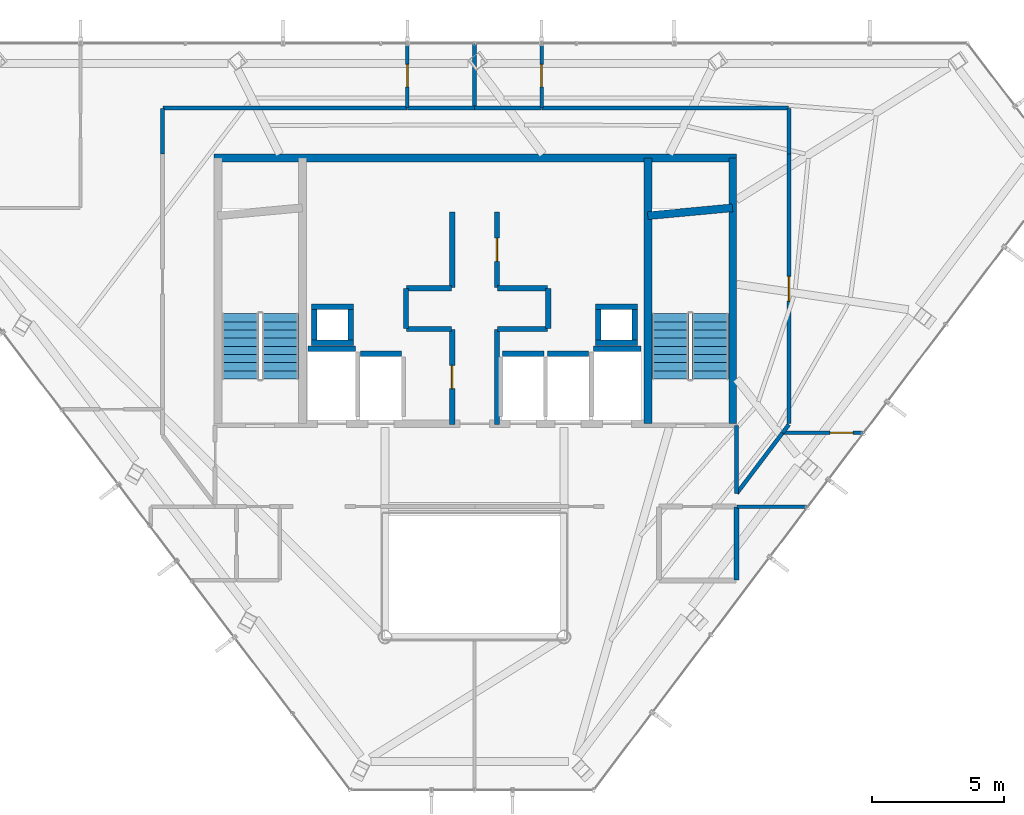
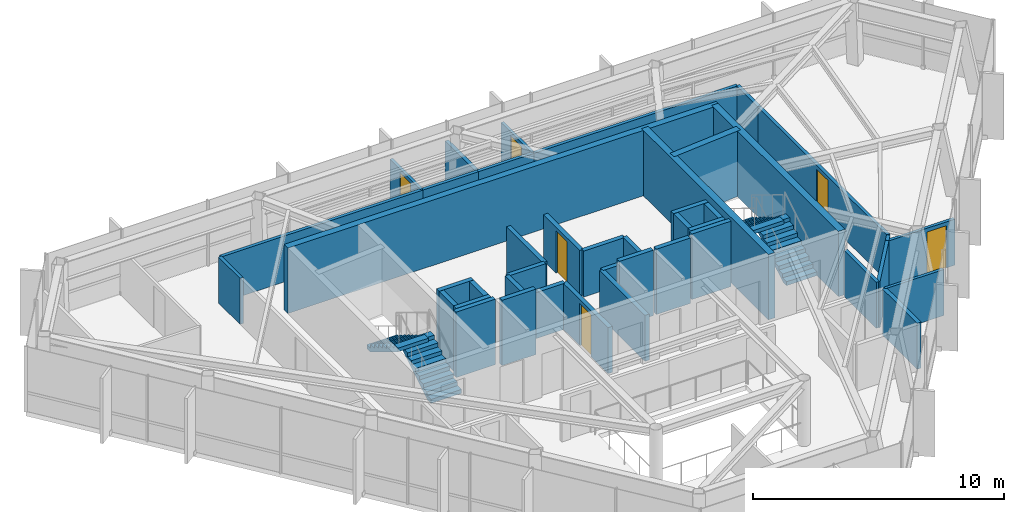
# One storey, part 23 of 25: 43 walls, 6 doors, 4 stair flights, 6 openings, 2 elements without a shape of their own.
"""IFC4 building model written with IfcOpenShell, lengths in metres."""

from ifc_helpers import new_model, si_unit, direction, frame, frame_2d, origin, place, context, subcontext, project, spatial, polyline, rectangle, outline, extrude, material, layer, layer_set, type_object, element, fill, aggregate, save


model = new_model("IFC4")

# Units and contexts
model_context = context("Model", 3, precision=1e-05, world=origin(), true_north=direction((0.0, 1.0)))
body_context = subcontext(model_context, "Body", "Model", "MODEL_VIEW")
ifc_project = project(units=[si_unit("LENGTHUNIT", "METRE"), si_unit("AREAUNIT", "SQUARE_METRE"), si_unit("VOLUMEUNIT", "CUBIC_METRE"), si_unit("PLANEANGLEUNIT", "RADIAN"), si_unit("MASSUNIT", "GRAM", prefix="KILO")], contexts=[model_context])

# Site, building, storey
site_placement = place(None, origin())
site = spatial("IfcSite", under=ifc_project, at=site_placement, CompositionType="ELEMENT")
building_placement = place(site_placement, origin())
building = spatial("IfcBuilding", under=site, at=building_placement, Name="Zarrinselat Tower", CompositionType="ELEMENT")
storey_placement = place(building_placement, frame((0.0, 0.0, 275.39990234375)))
storey = spatial("IfcBuildingStorey", under=building, at=storey_placement, Name="L70", CompositionType="ELEMENT", Elevation=275.39990234375)

# Walls
ifc_material_1 = material(Name="Fire-Rated Gypsum Board Partition", Category="gypsum")
ifc_layer_1 = layer(ifc_material_1, 0.1650390625)
ifc_layer_set_1 = layer_set([ifc_layer_1], Name="Fire-Rated Gypsum Board Partition")
wall_type_1 = type_object("IfcWallType", Name="WAL-PART-DEMISE", PredefinedType="PARTITIONING", material=ifc_layer_set_1)
wall_1_placement = place(storey_placement, frame((38.39990234375, 45.31005859375, 0.0), z_axis=(0.0, 0.0, 1.0), x_axis=(0.0, 1.0, 0.0)))
element("IfcWall", 1, at=wall_1_placement, inside=storey, type_object=wall_type_1, Name="L70 Partition Wall 49", PredefinedType="PARTITIONING", context=body_context, shape_type="SweptSolid", body=[
    extrude(rectangle(XDim=2.425048828125, YDim=0.1650390625, at=frame_2d((1.21240234375, 0.0))), origin(), (0.0, 0.0, 1.0), 2.235107421875),
])
ifc_material_2 = material(Name="Concrete C40/50", Category="concrete")
ifc_layer_2 = layer(ifc_material_2, 0.18994140625)
ifc_layer_set_2 = layer_set([ifc_layer_2], Name="Concrete C40/50")
wall_type_2 = type_object("IfcWallType", Name="WAL-PART-EI120", PredefinedType="PARTITIONING", material=ifc_layer_set_2)
wall_2_placement = place(storey_placement, frame((48.35009765625, 27.3701171875, 0.0), z_axis=(0.0, 0.0, 1.0), x_axis=(0.0, 1.0, 0.0)))
element("IfcWall", 2, at=wall_2_placement, inside=storey, type_object=wall_type_2, Name="L70 Partition Wall 21", PredefinedType="PARTITIONING", context=body_context, shape_type="SweptSolid", body=[
    extrude(rectangle(XDim=2.759765625, YDim=0.18994140625, at=frame_2d((1.3798828125, 0.0))), origin(), (0.0, 0.0, 1.0), 2.235107421875),
])
ifc_material_3 = material(Name="Fire-Rated Gypsum Board Partition", Category="gypsum")
ifc_layer_3 = layer(ifc_material_3, 0.14990234375)
ifc_layer_set_3 = layer_set([ifc_layer_3], Name="Fire-Rated Gypsum Board Partition")
wall_type_3 = type_object("IfcWallType", Name="WAL-PART-EI60", PredefinedType="PARTITIONING", material=ifc_layer_set_3)
wall_3_placement = place(storey_placement, frame((48.35009765625, 30.642578125, 0.0), z_axis=(0.0, 0.0, 1.0), x_axis=(0.0, 1.0, 0.0)))
element("IfcWall", 3, at=wall_3_placement, inside=storey, type_object=wall_type_3, Name="L70 Partition Wall 13", PredefinedType="PARTITIONING", context=body_context, shape_type="SweptSolid", body=[
    extrude(rectangle(XDim=2.58740234375, YDim=0.14990234375, at=frame_2d((1.293701171875, 0.0))), origin(), (0.0, 0.0, 1.0), 2.235107421875),
])
wall_4_placement = place(storey_placement, frame((26.550048828125, 43.550048828125, 0.0), z_axis=(0.0, 0.0, 1.0), x_axis=(0.0, 1.0, 0.0)))
element("IfcWall", 4, at=wall_4_placement, inside=storey, type_object=wall_type_3, Name="L70 Partition Wall 23", PredefinedType="PARTITIONING", context=body_context, shape_type="SweptSolid", body=[
    extrude(rectangle(XDim=1.719970703125, YDim=0.14990234375, at=frame_2d((0.85986328125, 0.0))), origin(), (0.0, 0.0, 1.0), 2.235107421875),
])
wall_5_placement = place(storey_placement, frame((26.570068359375, 45.2900390625, 0.0), z_axis=(0.0, 0.0, 1.0), x_axis=(1.0, 0.0, 0.0)))
element("IfcWall", 5, at=wall_5_placement, inside=storey, type_object=wall_type_3, Name="L70 Partition Wall 24", PredefinedType="PARTITIONING", context=body_context, shape_type="SweptSolid", body=[
    extrude(rectangle(XDim=9.27490234375, YDim=0.14990234375, at=frame_2d((4.637451171875, 0.0))), origin(), (0.0, 0.0, 1.0), 2.235107421875),
])
wall_6_placement = place(storey_placement, frame((35.85498046875, 45.2900390625, 0.0), z_axis=(0.0, 0.0, 1.0), x_axis=(1.0, 0.0, 0.0)))
element("IfcWall", 6, at=wall_6_placement, inside=storey, type_object=wall_type_3, Name="L70 Partition Wall 25", PredefinedType="PARTITIONING", context=body_context, shape_type="SweptSolid", body=[
    extrude(rectangle(XDim=2.5400390625, YDim=0.14990234375, at=frame_2d((1.27001953125, 0.0))), origin(), (0.0, 0.0, 1.0), 2.235107421875),
])
wall_7_placement = place(storey_placement, frame((40.955078125, 45.2900390625, 0.0), z_axis=(0.0, 0.0, 1.0), x_axis=(1.0, 0.0, 0.0)))
element("IfcWall", 7, at=wall_7_placement, inside=storey, type_object=wall_type_3, Name="L70 Partition Wall 28", PredefinedType="PARTITIONING", context=body_context, shape_type="SweptSolid", body=[
    extrude(rectangle(XDim=9.375, YDim=0.14990234375, at=frame_2d((4.6875, 0.0))), origin(), (0.0, 0.0, 1.0), 2.235107421875),
])
wall_8_placement = place(storey_placement, frame((50.35009765625, 43.550048828125, 0.0), z_axis=(0.0, 0.0, 1.0), x_axis=(0.0, 1.0, 0.0)))
element("IfcWall", 8, at=wall_8_placement, inside=storey, type_object=wall_type_3, Name="L70 Partition Wall 29", PredefinedType="PARTITIONING", context=body_context, shape_type="SweptSolid", body=[
    extrude(rectangle(XDim=1.719970703125, YDim=0.14990234375, at=frame_2d((0.85986328125, 0.0))), origin(), (0.0, 0.0, 1.0), 2.235107421875),
])

# Wall, opening, door
wall_9_placement = place(storey_placement, frame((50.35009765625, 33.30224609375, 0.0), z_axis=(0.0, 0.0, 1.0), x_axis=(0.0, 1.0, 0.0)))
wall_9 = element("IfcWall", 9, at=wall_9_placement, inside=storey, type_object=wall_type_3, Name="L70 Partition Wall 30", PredefinedType="PARTITIONING", context=body_context, shape_type="SweptSolid", body=[
    extrude(rectangle(XDim=10.247802734375, YDim=0.14990234375, at=frame_2d((5.1240234375, 0.0))), origin(), (0.0, 0.0, 1.0), 2.235107421875),
])
opening_1_placement = place(wall_9_placement, frame((4.65380859375, 0.0, 0.0)))
opening_1 = element("IfcOpeningElement", 10, at=opening_1_placement, cuts=wall_9, Name="Opening ID-04", PredefinedType="OPENING", context=body_context, shape_type="SweptSolid", body=[
    extrude(rectangle(XDim=0.93994140625, YDim=2.050048828125, at=frame_2d((0.469970703125, 1.02490234375))), frame((0.0, 0.0849609375, 0.0), z_axis=(0.0, -1.0, 0.0), x_axis=(1.0, 0.0, 0.0)), (0.0, 0.0, 1.0), 0.169921875),
])
ifc_material_4 = material(Name="Fire-Rated Gypsum Board Partition")
door_type_1 = type_object("IfcDoorType", Name="DR-INT-FD30-ENT", OperationType="NOTDEFINED", PredefinedType="DOOR", material=ifc_material_4)
door_1_placement = place(opening_1_placement, origin())
door_1 = element("IfcDoor", 11, at=door_1_placement, inside=storey, type_object=door_type_1, Name="L70 Interior Door P30", OperationType="SINGLE_SWING_LEFT", OverallHeight=2.050048828125, OverallWidth=0.93994140625, PredefinedType="DOOR", context=body_context, shape_type="SweptSolid", body=[
    extrude(rectangle(XDim=0.93994140625, YDim=2.050048828125, at=frame_2d((0.469970703125, 1.02490234375))), frame((0.0, 0.02490234375, 0.0), z_axis=(0.0, -1.0, 0.0), x_axis=(1.0, 0.0, 0.0)), (0.0, 0.0, 1.0), 0.050048828125),
])
fill(opening_1, door_1)

# Walls
wall_10_placement = place(storey_placement, frame((50.106689453125, 32.96044921875, 0.0), z_axis=(0.0, 0.0, 1.0), x_axis=(0.602950173728, 0.797778846549, 0.0)))
element("IfcWall", 12, at=wall_10_placement, inside=storey, type_object=wall_type_3, Name="L70 Partition Wall 31", PredefinedType="PARTITIONING", context=body_context, shape_type="SweptSolid", body=[
    extrude(rectangle(XDim=0.383544921875, YDim=0.14990234375, at=frame_2d((0.19189453125, 0.0))), origin(), (0.0, 0.0, 1.0), 2.235107421875),
])
wall_11_placement = place(storey_placement, frame((48.362060546875, 30.653564453125, 0.0), z_axis=(0.0, 0.0, 1.0), x_axis=(0.603189668488, 0.79759778324, 0.0)))
element("IfcWall", 13, at=wall_11_placement, inside=storey, type_object=wall_type_3, Name="L70 Partition Wall 32", PredefinedType="PARTITIONING", context=body_context, shape_type="SweptSolid", body=[
    extrude(rectangle(XDim=2.8857421875, YDim=0.14990234375, at=frame_2d((1.44287109375, 0.0))), origin(), (0.0, 0.0, 1.0), 2.235107421875),
])
wall_12_placement = place(storey_placement, frame((38.405029296875, 45.2900390625, 0.0), z_axis=(0.0, 0.0, 1.0), x_axis=(1.0, 0.0, 0.0)))
element("IfcWall", 14, at=wall_12_placement, inside=storey, type_object=wall_type_3, Name="L70 Partition Wall 33", PredefinedType="PARTITIONING", context=body_context, shape_type="SweptSolid", body=[
    extrude(rectangle(XDim=2.5400390625, YDim=0.14990234375, at=frame_2d((1.27001953125, 0.0))), origin(), (0.0, 0.0, 1.0), 2.235107421875),
])

# Wall, opening, door
ifc_material_5 = material(Name="Concrete C40/50", Category="concrete")
ifc_layer_4 = layer(ifc_material_5, 0.199951171875)
ifc_layer_set_4 = layer_set([ifc_layer_4], Name="Concrete C40/50")
wall_type_4 = type_object("IfcWallType", Name="WAL-PART-PLANT", PredefinedType="PARTITIONING", material=ifc_layer_set_4)
wall_13_placement = place(storey_placement, frame((37.550048828125, 33.264892578125, 0.0), z_axis=(0.0, 0.0, 1.0), x_axis=(0.0, 1.0, 0.0)))
wall_13 = element("IfcWall", 15, at=wall_13_placement, inside=storey, type_object=wall_type_4, Name="L70 Partition Wall 1", PredefinedType="PARTITIONING", context=body_context, shape_type="SweptSolid", body=[
    extrude(rectangle(XDim=3.614990234375, YDim=0.199951171875, at=frame_2d((1.8076171875, 0.0))), origin(), (0.0, 0.0, 1.0), 2.235107421875),
])
opening_2_placement = place(wall_13_placement, frame((1.367431640625, 0.0, 0.0)))
opening_2 = element("IfcOpeningElement", 16, at=opening_2_placement, cuts=wall_13, Name="Opening ID-03", PredefinedType="OPENING", context=body_context, shape_type="SweptSolid", body=[
    extrude(rectangle(XDim=0.8798828125, YDim=2.050048828125, at=frame_2d((0.43994140625, 1.02490234375))), frame((0.0, 0.10986328125, 0.0), z_axis=(0.0, -1.0, 0.0), x_axis=(1.0, 0.0, 0.0)), (0.0, 0.0, 1.0), 0.219970703125),
])
ifc_material_6 = material(Name="Steel S355J2", Category="steel")
door_type_2 = type_object("IfcDoorType", Name="DR-INT-FD60-S", OperationType="NOTDEFINED", PredefinedType="DOOR", material=ifc_material_6)
door_2_placement = place(opening_2_placement, origin())
door_2 = element("IfcDoor", 17, at=door_2_placement, inside=storey, type_object=door_type_2, Name="L70 Interior Door P1", OperationType="SINGLE_SWING_LEFT", OverallHeight=2.050048828125, OverallWidth=0.8798828125, PredefinedType="DOOR", context=body_context, shape_type="SweptSolid", body=[
    extrude(rectangle(XDim=0.8798828125, YDim=2.050048828125, at=frame_2d((0.43994140625, 1.02490234375))), frame((0.0, 0.02490234375, 0.0), z_axis=(0.0, -1.0, 0.0), x_axis=(1.0, 0.0, 0.0)), (0.0, 0.0, 1.0), 0.050048828125),
])
fill(opening_2, door_2)

# Walls
wall_14_placement = place(storey_placement, frame((35.820068359375, 36.89990234375, 0.0), z_axis=(0.0, 0.0, 1.0), x_axis=(1.0, 0.0, 0.0)))
element("IfcWall", 18, at=wall_14_placement, inside=storey, type_object=wall_type_4, Name="L70 Partition Wall 2", PredefinedType="PARTITIONING", context=body_context, shape_type="SweptSolid", body=[
    extrude(rectangle(XDim=1.7099609375, YDim=0.199951171875, at=frame_2d((0.85498046875, 0.0))), origin(), (0.0, 0.0, 1.0), 2.235107421875),
])
wall_15_placement = place(storey_placement, frame((35.800048828125, 36.919921875, 0.0), z_axis=(0.0, 0.0, 1.0), x_axis=(0.0, 1.0, 0.0)))
element("IfcWall", 19, at=wall_15_placement, inside=storey, type_object=wall_type_4, Name="L70 Partition Wall 3", PredefinedType="PARTITIONING", context=body_context, shape_type="SweptSolid", body=[
    extrude(rectangle(XDim=1.510009765625, YDim=0.199951171875, at=frame_2d((0.7548828125, 0.0))), origin(), (0.0, 0.0, 1.0), 2.235107421875),
])
wall_16_placement = place(storey_placement, frame((35.820068359375, 38.449951171875, 0.0), z_axis=(0.0, 0.0, 1.0), x_axis=(1.0, 0.0, 0.0)))
element("IfcWall", 20, at=wall_16_placement, inside=storey, type_object=wall_type_4, Name="L70 Partition Wall 4", PredefinedType="PARTITIONING", context=body_context, shape_type="SweptSolid", body=[
    extrude(rectangle(XDim=1.7099609375, YDim=0.199951171875, at=frame_2d((0.85498046875, 0.0))), origin(), (0.0, 0.0, 1.0), 2.235107421875),
])
wall_17_placement = place(storey_placement, frame((37.550048828125, 38.469970703125, 0.0), z_axis=(0.0, 0.0, 1.0), x_axis=(0.0, 1.0, 0.0)))
element("IfcWall", 21, at=wall_17_placement, inside=storey, type_object=wall_type_4, Name="L70 Partition Wall 5", PredefinedType="PARTITIONING", context=body_context, shape_type="SweptSolid", body=[
    extrude(rectangle(XDim=2.880126953125, YDim=0.199951171875, at=frame_2d((1.43994140625, 0.0))), origin(), (0.0, 0.0, 1.0), 2.235107421875),
])

# Wall, opening, door
wall_18_placement = place(storey_placement, frame((39.25, 38.469970703125, 0.0), z_axis=(0.0, 0.0, 1.0), x_axis=(0.0, 1.0, 0.0)))
wall_18 = element("IfcWall", 22, at=wall_18_placement, inside=storey, type_object=wall_type_4, Name="L70 Partition Wall 6", PredefinedType="PARTITIONING", context=body_context, shape_type="SweptSolid", body=[
    extrude(rectangle(XDim=2.880126953125, YDim=0.199951171875, at=frame_2d((1.43994140625, 0.0))), origin(), (0.0, 0.0, 1.0), 2.235107421875),
])
opening_3_placement = place(wall_18_placement, frame((1.0, 0.0, 0.0)))
opening_3 = element("IfcOpeningElement", 23, at=opening_3_placement, cuts=wall_18, Name="Opening ID-03", PredefinedType="OPENING", context=body_context, shape_type="SweptSolid", body=[
    extrude(rectangle(XDim=0.8798828125, YDim=2.050048828125, at=frame_2d((0.43994140625, 1.02490234375))), frame((0.0, 0.10986328125, 0.0), z_axis=(0.0, -1.0, 0.0), x_axis=(1.0, 0.0, 0.0)), (0.0, 0.0, 1.0), 0.219970703125),
])
door_3_placement = place(opening_3_placement, origin())
door_3 = element("IfcDoor", 24, at=door_3_placement, inside=storey, type_object=door_type_2, Name="L70 Interior Door P6", OperationType="SINGLE_SWING_RIGHT", OverallHeight=2.050048828125, OverallWidth=0.8798828125, PredefinedType="DOOR", context=body_context, shape_type="SweptSolid", body=[
    extrude(rectangle(XDim=0.8798828125, YDim=2.050048828125, at=frame_2d((0.43994140625, 1.02490234375))), frame((0.0, 0.02490234375, 0.0), z_axis=(0.0, -1.0, 0.0), x_axis=(1.0, 0.0, 0.0)), (0.0, 0.0, 1.0), 0.050048828125),
])
fill(opening_3, door_3)

# Walls
wall_19_placement = place(storey_placement, frame((39.27001953125, 38.449951171875, 0.0), z_axis=(0.0, 0.0, 1.0), x_axis=(1.0, 0.0, 0.0)))
element("IfcWall", 25, at=wall_19_placement, inside=storey, type_object=wall_type_4, Name="L70 Partition Wall 7", PredefinedType="PARTITIONING", context=body_context, shape_type="SweptSolid", body=[
    extrude(rectangle(XDim=1.909912109375, YDim=0.199951171875, at=frame_2d((0.955078125, 0.0))), origin(), (0.0, 0.0, 1.0), 2.235107421875),
])
wall_20_placement = place(storey_placement, frame((41.199951171875, 36.919921875, 0.0), z_axis=(0.0, 0.0, 1.0), x_axis=(0.0, 1.0, 0.0)))
element("IfcWall", 26, at=wall_20_placement, inside=storey, type_object=wall_type_4, Name="L70 Partition Wall 8", PredefinedType="PARTITIONING", context=body_context, shape_type="SweptSolid", body=[
    extrude(rectangle(XDim=1.510009765625, YDim=0.199951171875, at=frame_2d((0.7548828125, 0.0))), origin(), (0.0, 0.0, 1.0), 2.235107421875),
])
wall_21_placement = place(storey_placement, frame((39.27001953125, 36.89990234375, 0.0), z_axis=(0.0, 0.0, 1.0), x_axis=(1.0, 0.0, 0.0)))
element("IfcWall", 27, at=wall_21_placement, inside=storey, type_object=wall_type_4, Name="L70 Partition Wall 9", PredefinedType="PARTITIONING", context=body_context, shape_type="SweptSolid", body=[
    extrude(rectangle(XDim=1.909912109375, YDim=0.199951171875, at=frame_2d((0.955078125, 0.0))), origin(), (0.0, 0.0, 1.0), 2.235107421875),
])
wall_22_placement = place(storey_placement, frame((39.25, 33.264892578125, 0.0), z_axis=(0.0, 0.0, 1.0), x_axis=(0.0, 1.0, 0.0)))
element("IfcWall", 28, at=wall_22_placement, inside=storey, type_object=wall_type_4, Name="L70 Partition Wall 10", PredefinedType="PARTITIONING", context=body_context, shape_type="SweptSolid", body=[
    extrude(rectangle(XDim=3.614990234375, YDim=0.199951171875, at=frame_2d((1.8076171875, 0.0))), origin(), (0.0, 0.0, 1.0), 2.235107421875),
])
ifc_material_7 = material(Name="Fire-Rated Gypsum Board Partition", Category="gypsum")
ifc_layer_5 = layer(ifc_material_7, 0.135009765625)
ifc_layer_set_5 = layer_set([ifc_layer_5], Name="Fire-Rated Gypsum Board Partition")
wall_type_5 = type_object("IfcWallType", Name="WAL-PART-WET", PredefinedType="PARTITIONING", material=ifc_layer_set_5)
wall_23_placement = place(storey_placement, frame((48.3701171875, 30.14990234375, 0.0), z_axis=(0.0, 0.0, 1.0), x_axis=(1.0, 0.0, 0.0)))
element("IfcWall", 29, at=wall_23_placement, inside=storey, type_object=wall_type_5, Name="L70 Partition Wall 42", PredefinedType="PARTITIONING", context=body_context, shape_type="SweptSolid", body=[
    extrude(rectangle(XDim=2.680419921875, YDim=0.135009765625, at=frame_2d((1.34033203125, 0.0))), origin(), (0.0, 0.0, 1.0), 2.235107421875),
])

# Wall, opening, door
wall_24_placement = place(storey_placement, frame((35.85009765625, 45.31005859375, 0.0), z_axis=(0.0, 0.0, 1.0), x_axis=(0.0, 1.0, 0.0)))
wall_24 = element("IfcWall", 30, at=wall_24_placement, inside=storey, type_object=wall_type_5, Name="L70 Partition Wall 44", PredefinedType="PARTITIONING", context=body_context, shape_type="SweptSolid", body=[
    extrude(rectangle(XDim=2.425048828125, YDim=0.135009765625, at=frame_2d((1.21240234375, 0.0))), origin(), (0.0, 0.0, 1.0), 2.235107421875),
])
opening_4_placement = place(wall_24_placement, frame((0.782470703125, 0.0, 0.0)))
opening_4 = element("IfcOpeningElement", 31, at=opening_4_placement, cuts=wall_24, Name="Opening ID-06", PredefinedType="OPENING", context=body_context, shape_type="SweptSolid", body=[
    extrude(rectangle(XDim=0.860107421875, YDim=2.050048828125, at=frame_2d((0.43017578125, 1.02490234375))), frame((0.0, 0.077392578125, 0.0), z_axis=(0.0, -1.0, 0.0), x_axis=(1.0, 0.0, 0.0)), (0.0, 0.0, 1.0), 0.155029296875),
])
ifc_material_8 = material(Name="Extruded Aluminium Alloy EN AW-6063 T6", Category="aluminium")
door_type_3 = type_object("IfcDoorType", Name="DR-INT-WET-900", OperationType="NOTDEFINED", PredefinedType="DOOR", material=ifc_material_8)
door_4_placement = place(opening_4_placement, origin())
door_4 = element("IfcDoor", 32, at=door_4_placement, inside=storey, type_object=door_type_3, Name="L70 Interior Door P44", OperationType="SINGLE_SWING_RIGHT", OverallHeight=2.050048828125, OverallWidth=0.860107421875, PredefinedType="DOOR", context=body_context, shape_type="SweptSolid", body=[
    extrude(rectangle(XDim=0.860107421875, YDim=2.050048828125, at=frame_2d((0.43017578125, 1.02490234375))), frame((0.0, 0.02490234375, 0.0), z_axis=(0.0, -1.0, 0.0), x_axis=(1.0, 0.0, 0.0)), (0.0, 0.0, 1.0), 0.050048828125),
])
fill(opening_4, door_4)

wall_25_placement = place(storey_placement, frame((50.12353515625, 32.956298828125, 0.0), z_axis=(0.0, 0.0, 1.0), x_axis=(1.0, 0.0, 0.0)))
wall_25 = element("IfcWall", 33, at=wall_25_placement, inside=storey, type_object=wall_type_5, Name="L70 Partition Wall 50", PredefinedType="PARTITIONING", context=body_context, shape_type="SweptSolid", body=[
    extrude(rectangle(XDim=3.04931640625, YDim=0.135009765625, at=frame_2d((1.524658203125, 0.0))), origin(), (0.0, 0.0, 1.0), 2.235107421875),
])
opening_5_placement = place(wall_25_placement, frame((1.780029296875, 0.0, 0.0)))
opening_5 = element("IfcOpeningElement", 34, at=opening_5_placement, cuts=wall_25, Name="Opening ID-03", PredefinedType="OPENING", context=body_context, shape_type="SweptSolid", body=[
    extrude(rectangle(XDim=0.8798828125, YDim=2.050048828125, at=frame_2d((0.43994140625, 1.02490234375))), frame((0.0, 0.077392578125, 0.0), z_axis=(0.0, -1.0, 0.0), x_axis=(1.0, 0.0, 0.0)), (0.0, 0.0, 1.0), 0.155029296875),
])
door_5_placement = place(opening_5_placement, origin())
door_5 = element("IfcDoor", 35, at=door_5_placement, inside=storey, type_object=door_type_2, Name="L70 Interior Door P50", OperationType="SINGLE_SWING_LEFT", OverallHeight=2.050048828125, OverallWidth=0.8798828125, PredefinedType="DOOR", context=body_context, shape_type="SweptSolid", body=[
    extrude(rectangle(XDim=0.8798828125, YDim=2.050048828125, at=frame_2d((0.43994140625, 1.02490234375))), frame((0.0, 0.02490234375, 0.0), z_axis=(0.0, -1.0, 0.0), x_axis=(1.0, 0.0, 0.0)), (0.0, 0.0, 1.0), 0.050048828125),
])
fill(opening_5, door_5)

wall_26_placement = place(storey_placement, frame((40.949951171875, 45.31005859375, 0.0), z_axis=(0.0, 0.0, 1.0), x_axis=(0.0, 1.0, 0.0)))
wall_26 = element("IfcWall", 36, at=wall_26_placement, inside=storey, type_object=wall_type_5, Name="L70 Partition Wall 51", PredefinedType="PARTITIONING", context=body_context, shape_type="SweptSolid", body=[
    extrude(rectangle(XDim=2.425048828125, YDim=0.135009765625, at=frame_2d((1.21240234375, 0.0))), origin(), (0.0, 0.0, 1.0), 2.235107421875),
])
opening_6_placement = place(wall_26_placement, frame((0.782470703125, 0.0, 0.0)))
opening_6 = element("IfcOpeningElement", 37, at=opening_6_placement, cuts=wall_26, Name="Opening ID-06", PredefinedType="OPENING", context=body_context, shape_type="SweptSolid", body=[
    extrude(rectangle(XDim=0.860107421875, YDim=2.050048828125, at=frame_2d((0.43017578125, 1.02490234375))), frame((0.0, 0.077392578125, 0.0), z_axis=(0.0, -1.0, 0.0), x_axis=(1.0, 0.0, 0.0)), (0.0, 0.0, 1.0), 0.155029296875),
])
door_6_placement = place(opening_6_placement, origin())
door_6 = element("IfcDoor", 38, at=door_6_placement, inside=storey, type_object=door_type_3, Name="L70 Interior Door P51", OperationType="SINGLE_SWING_RIGHT", OverallHeight=2.050048828125, OverallWidth=0.860107421875, PredefinedType="DOOR", context=body_context, shape_type="SweptSolid", body=[
    extrude(rectangle(XDim=0.860107421875, YDim=2.050048828125, at=frame_2d((0.43017578125, 1.02490234375))), frame((0.0, 0.02490234375, 0.0), z_axis=(0.0, -1.0, 0.0), x_axis=(1.0, 0.0, 0.0)), (0.0, 0.0, 1.0), 0.050048828125),
])
fill(opening_6, door_6)

# Walls
ifc_material_9 = material(Name="Concrete C40/50", Category="concrete")
ifc_layer_6 = layer(ifc_material_9, 0.2099609375)
ifc_layer_set_6 = layer_set([ifc_layer_6], Name="Concrete C40/50")
wall_type_6 = type_object("IfcWallType", Name="WAL-SHAFT-210", PredefinedType="SOLIDWALL", material=ifc_layer_set_6)
wall_27_placement = place(storey_placement, frame((32.080078125, 36.155029296875, 0.0), z_axis=(0.0, 0.0, 1.0), x_axis=(1.0, 0.0, 0.0)))
element("IfcWall", 39, at=wall_27_placement, inside=storey, type_object=wall_type_6, Name="L70 Lift FFL1 North Shaft Wall", PredefinedType="SOLIDWALL", context=body_context, shape_type="SweptSolid", body=[
    extrude(rectangle(XDim=1.7998046875, YDim=0.2099609375, at=frame_2d((0.89990234375, 0.0))), origin(), (0.0, 0.0, 1.0), 3.18017578125),
])
wall_28_placement = place(storey_placement, frame((42.919921875, 36.155029296875, 0.0), z_axis=(0.0, 0.0, 1.0), x_axis=(1.0, 0.0, 0.0)))
element("IfcWall", 40, at=wall_28_placement, inside=storey, type_object=wall_type_6, Name="L70 Lift FFL2 North Shaft Wall", PredefinedType="SOLIDWALL", context=body_context, shape_type="SweptSolid", body=[
    extrude(rectangle(XDim=1.800048828125, YDim=0.2099609375, at=frame_2d((0.89990234375, 0.0))), origin(), (0.0, 0.0, 1.0), 3.18017578125),
])
for number, where, z_axis, x_axis, name in (
    (41, (39.469970703125, 35.955078125, 0.0), (0.0, 0.0, 1.0), (1.0, 0.0, 0.0), "L70 Lift PL8 North Shaft Wall"),
    (42, (41.169921875, 35.955078125, 0.0), (0.0, 0.0, 1.0), (1.0, 0.0, 0.0), "L70 Lift PL9 North Shaft Wall"),
):
    element("IfcWall", number, at=place(storey_placement, frame(where, z_axis=z_axis, x_axis=x_axis)), inside=storey, type_object=wall_type_6, Name=name, PredefinedType="SOLIDWALL", context=body_context, shape_type="SweptSolid", body=[
        extrude(rectangle(XDim=1.56005859375, YDim=0.2099609375, at=frame_2d((0.780029296875, 0.0))), origin(), (0.0, 0.0, 1.0), 3.18017578125),
    ])
wall_29_placement = place(storey_placement, frame((34.070068359375, 35.955078125, 0.0), z_axis=(0.0, 0.0, 1.0), x_axis=(1.0, 0.0, 0.0)))
element("IfcWall", 43, at=wall_29_placement, inside=storey, type_object=wall_type_6, Name="L70 Lift PL10 North Shaft Wall", PredefinedType="SOLIDWALL", context=body_context, shape_type="SweptSolid", body=[
    extrude(rectangle(XDim=1.559814453125, YDim=0.2099609375, at=frame_2d((0.77978515625, 0.0))), origin(), (0.0, 0.0, 1.0), 3.18017578125),
])
for number, where, z_axis, x_axis, name in (
    (44, (32.2099609375, 36.375, 0.0), (0.0, 0.0, 1.0), (1.0, 0.0, 0.0), "L70 Core Riser RSR-W S Shaft Wall"),
    (45, (32.2099609375, 37.7451171875, 0.0), (0.0, 0.0, 1.0), (1.0, 0.0, 0.0), "L70 Core Riser RSR-W N Shaft Wall"),
):
    element("IfcWall", number, at=place(storey_placement, frame(where, z_axis=z_axis, x_axis=x_axis)), inside=storey, type_object=wall_type_6, Name=name, PredefinedType="SOLIDWALL", context=body_context, shape_type="SweptSolid", body=[
        extrude(rectangle(XDim=1.60009765625, YDim=0.2099609375, at=frame_2d((0.800048828125, 0.0))), origin(), (0.0, 0.0, 1.0), 3.18017578125),
    ])
for number, where, z_axis, x_axis, name in (
    (46, (32.31494140625, 36.485107421875, 0.0), (0.0, 0.0, 1.0), (0.0, 1.0, 0.0), "L70 Core Riser RSR-W W Shaft Wall"),
    (47, (33.705078125, 36.485107421875, 0.0), (0.0, 0.0, 1.0), (0.0, 1.0, 0.0), "L70 Core Riser RSR-W E Shaft Wall"),
):
    element("IfcWall", number, at=place(storey_placement, frame(where, z_axis=z_axis, x_axis=x_axis)), inside=storey, type_object=wall_type_6, Name=name, PredefinedType="SOLIDWALL", context=body_context, shape_type="SweptSolid", body=[
        extrude(rectangle(XDim=1.14990234375, YDim=0.2099609375, at=frame_2d((0.574951171875, 0.0))), origin(), (0.0, 0.0, 1.0), 3.18017578125),
    ])
for number, where, z_axis, x_axis, name in (
    (48, (42.989990234375, 36.375, 0.0), (0.0, 0.0, 1.0), (1.0, 0.0, 0.0), "L70 Core Riser RSR-E S Shaft Wall"),
    (49, (42.989990234375, 37.7451171875, 0.0), (0.0, 0.0, 1.0), (1.0, 0.0, 0.0), "L70 Core Riser RSR-E N Shaft Wall"),
):
    element("IfcWall", number, at=place(storey_placement, frame(where, z_axis=z_axis, x_axis=x_axis)), inside=storey, type_object=wall_type_6, Name=name, PredefinedType="SOLIDWALL", context=body_context, shape_type="SweptSolid", body=[
        extrude(rectangle(XDim=1.60009765625, YDim=0.2099609375, at=frame_2d((0.800048828125, 0.0))), origin(), (0.0, 0.0, 1.0), 3.18017578125),
    ])
for number, where, z_axis, x_axis, name in (
    (50, (43.094970703125, 36.485107421875, 0.0), (0.0, 0.0, 1.0), (0.0, 1.0, 0.0), "L70 Core Riser RSR-E W Shaft Wall"),
    (51, (44.485107421875, 36.485107421875, 0.0), (0.0, 0.0, 1.0), (0.0, 1.0, 0.0), "L70 Core Riser RSR-E E Shaft Wall"),
):
    element("IfcWall", number, at=place(storey_placement, frame(where, z_axis=z_axis, x_axis=x_axis)), inside=storey, type_object=wall_type_6, Name=name, PredefinedType="SOLIDWALL", context=body_context, shape_type="SweptSolid", body=[
        extrude(rectangle(XDim=1.14990234375, YDim=0.2099609375, at=frame_2d((0.574951171875, 0.0))), origin(), (0.0, 0.0, 1.0), 3.18017578125),
    ])
ifc_material_10 = material(Name="Concrete C40/50", Category="concrete")
ifc_layer_7 = layer(ifc_material_10, 0.300048828125)
ifc_layer_set_7 = layer_set([ifc_layer_7], Name="Concrete C40/50")
wall_type_7 = type_object("IfcWallType", Name="WAL-SHEAR-300", PredefinedType="SHEAR", material=ifc_layer_set_7)
wall_30_placement = place(storey_placement, frame((28.5, 43.39990234375, 0.0), z_axis=(0.0, 0.0, 1.0), x_axis=(1.0, 0.0, 0.0)))
element("IfcWall", 52, at=wall_30_placement, inside=storey, type_object=wall_type_7, Name="L70 North Core Shear Wall", PredefinedType="SHEAR", context=body_context, shape_type="SweptSolid", body=[
    extrude(rectangle(XDim=19.860107421875, YDim=0.300048828125, at=frame_2d((9.93017578125, 0.0))), origin(), (0.0, 0.0, 1.0), 3.18017578125),
])
for number, where, z_axis, x_axis, name in (
    (53, (44.989990234375, 33.300048828125, 0.0), (0.0, 0.0, 1.0), (0.0, 1.0, 0.0), "L70 Core Shear Wall ST2W"),
    (54, (48.2099609375, 33.300048828125, 0.0), (0.0, 0.0, 1.0), (0.0, 1.0, 0.0), "L70 Core Shear Wall E"),
):
    element("IfcWall", number, at=place(storey_placement, frame(where, z_axis=z_axis, x_axis=x_axis)), inside=storey, type_object=wall_type_7, Name=name, PredefinedType="SHEAR", context=body_context, shape_type="SweptSolid", body=[
        extrude(rectangle(XDim=10.099853515625, YDim=0.300048828125, at=frame_2d((5.0498046875, 0.0))), origin(), (0.0, 0.0, 1.0), 3.18017578125),
    ])
wall_31_placement = place(storey_placement, frame((44.97998046875, 41.199951171875, 0.0), z_axis=(0.0, 0.0, 1.0), x_axis=(0.995686468965, 0.09278176286, 0.0)))
element("IfcWall", 55, at=wall_31_placement, inside=storey, type_object=wall_type_7, Name="L70 Stair 2 North Shaft Wall", PredefinedType="SHEAR", context=body_context, shape_type="SweptSolid", body=[
    extrude(rectangle(XDim=3.23388671875, YDim=0.300048828125, at=frame_2d((1.616943359375, 0.0))), origin(), (0.0, 0.0, 1.0), 3.18017578125),
])

# Stair, stair flights
ifc_material_11 = material(Name="Concrete C40/50", Category="concrete")
stair_type = type_object("IfcStairType", Name="STR-CORE-155", PredefinedType="HALF_TURN_STAIR", material=ifc_material_11)
stair_1_placement = place(storey_placement, origin())
stair_1 = element("IfcStair", 56, at=stair_1_placement, inside=storey, type_object=stair_type, Name="L70 Core Exit Stair 1", PredefinedType="HALF_TURN_STAIR")
ifc_material_12 = material(Name="Concrete C40/50", Category="concrete")
stair_flight_type = type_object("IfcStairFlightType", Name="STR-FLT-155", PredefinedType="STRAIGHT", material=ifc_material_12)
stair_flight_1_placement = place(storey_placement, frame((31.02001953125, 35.0, 0.0), z_axis=(0.0, 0.0, 1.0), x_axis=(0.0, 1.0, 0.0)))
stair_flight_1 = element("IfcStairFlight", 57, at=stair_flight_1_placement, type_object=stair_flight_type, Name="ST-1 flight 1", NumberOfRisers=9, NumberOfTreads=8, PredefinedType="STRAIGHT", RiserHeight=0.188888889, TreadLength=0.31, context=body_context, shape_type="SweptSolid", body=[
    extrude(outline(polyline([(0.0, 0.0), (0.0, 0.18896484375), (0.31005859375, 0.18896484375), (0.31005859375, 0.377685546875), (0.6201171875, 0.377685546875), (0.6201171875, 0.566650390625), (0.929931640625, 0.566650390625), (0.929931640625, 0.755615234375), (1.239990234375, 0.755615234375), (1.239990234375, 0.9443359375), (1.550048828125, 0.9443359375), (1.550048828125, 1.13330078125), (1.860107421875, 1.13330078125), (1.860107421875, 1.322265625), (2.169921875, 1.322265625), (2.169921875, 1.51123046875), (2.47998046875, 1.51123046875), (2.47998046875, 1.699951171875), (2.47998046875, 1.335693359375), (0.2880859375, 0.0), (0.0, 0.0)])), frame((0.0, 0.699951171875, 0.0), z_axis=(0.0, -1.0, 0.0), x_axis=(1.0, 0.0, 0.0)), (0.0, 0.0, 1.0), 1.39990234375),
])
stair_flight_2_placement = place(storey_placement, frame((29.5, 37.47998046875, 1.7001953125), z_axis=(0.0, 0.0, 1.0), x_axis=(0.0, -1.0, 0.0)))
stair_flight_2 = element("IfcStairFlight", 58, at=stair_flight_2_placement, type_object=stair_flight_type, Name="ST-1 flight 2", NumberOfRisers=9, NumberOfTreads=8, PredefinedType="STRAIGHT", RiserHeight=0.188888889, TreadLength=0.31, context=body_context, shape_type="SweptSolid", body=[
    extrude(outline(polyline([(0.0, 0.0), (0.0, 0.18896484375), (0.31005859375, 0.18896484375), (0.31005859375, 0.377685546875), (0.6201171875, 0.377685546875), (0.6201171875, 0.566650390625), (0.929931640625, 0.566650390625), (0.929931640625, 0.755615234375), (1.239990234375, 0.755615234375), (1.239990234375, 0.9443359375), (1.550048828125, 0.9443359375), (1.550048828125, 1.13330078125), (1.860107421875, 1.13330078125), (1.860107421875, 1.322265625), (2.169921875, 1.322265625), (2.169921875, 1.51123046875), (2.47998046875, 1.51123046875), (2.47998046875, 1.699951171875), (2.47998046875, 1.335693359375), (0.2880859375, 0.0), (0.0, 0.0)])), frame((0.0, 0.699951171875, 0.0), z_axis=(0.0, -1.0, 0.0), x_axis=(1.0, 0.0, 0.0)), (0.0, 0.0, 1.0), 1.39990234375),
])
aggregate(stair_1, [stair_flight_1, stair_flight_2])

stair_2_placement = place(storey_placement, origin())
stair_2 = element("IfcStair", 59, at=stair_2_placement, inside=storey, type_object=stair_type, Name="L70 Core Exit Stair 2", PredefinedType="HALF_TURN_STAIR")
stair_flight_3_placement = place(storey_placement, frame((47.360107421875, 35.0, 0.0), z_axis=(0.0, 0.0, 1.0), x_axis=(0.0, 1.0, 0.0)))
stair_flight_3 = element("IfcStairFlight", 60, at=stair_flight_3_placement, type_object=stair_flight_type, Name="ST-2 flight 1", NumberOfRisers=9, NumberOfTreads=8, PredefinedType="STRAIGHT", RiserHeight=0.188888889, TreadLength=0.31, context=body_context, shape_type="SweptSolid", body=[
    extrude(outline(polyline([(0.0, 0.0), (0.0, 0.18896484375), (0.31005859375, 0.18896484375), (0.31005859375, 0.377685546875), (0.6201171875, 0.377685546875), (0.6201171875, 0.566650390625), (0.929931640625, 0.566650390625), (0.929931640625, 0.755615234375), (1.239990234375, 0.755615234375), (1.239990234375, 0.9443359375), (1.550048828125, 0.9443359375), (1.550048828125, 1.13330078125), (1.860107421875, 1.13330078125), (1.860107421875, 1.322265625), (2.169921875, 1.322265625), (2.169921875, 1.51123046875), (2.47998046875, 1.51123046875), (2.47998046875, 1.699951171875), (2.47998046875, 1.335693359375), (0.2880859375, 0.0), (0.0, 0.0)])), frame((0.0, 0.699951171875, 0.0), z_axis=(0.0, -1.0, 0.0), x_axis=(1.0, 0.0, 0.0)), (0.0, 0.0, 1.0), 1.39990234375),
])
stair_flight_4_placement = place(storey_placement, frame((45.840087890625, 37.47998046875, 1.7001953125), z_axis=(0.0, 0.0, 1.0), x_axis=(0.0, -1.0, 0.0)))
stair_flight_4 = element("IfcStairFlight", 61, at=stair_flight_4_placement, type_object=stair_flight_type, Name="ST-2 flight 2", NumberOfRisers=9, NumberOfTreads=8, PredefinedType="STRAIGHT", RiserHeight=0.188888889, TreadLength=0.31, context=body_context, shape_type="SweptSolid", body=[
    extrude(outline(polyline([(0.0, 0.0), (0.0, 0.18896484375), (0.31005859375, 0.18896484375), (0.31005859375, 0.377685546875), (0.6201171875, 0.377685546875), (0.6201171875, 0.566650390625), (0.929931640625, 0.566650390625), (0.929931640625, 0.755615234375), (1.239990234375, 0.755615234375), (1.239990234375, 0.9443359375), (1.550048828125, 0.9443359375), (1.550048828125, 1.13330078125), (1.860107421875, 1.13330078125), (1.860107421875, 1.322265625), (2.169921875, 1.322265625), (2.169921875, 1.51123046875), (2.47998046875, 1.51123046875), (2.47998046875, 1.699951171875), (2.47998046875, 1.335693359375), (0.2880859375, 0.0), (0.0, 0.0)])), frame((0.0, 0.699951171875, 0.0), z_axis=(0.0, -1.0, 0.0), x_axis=(1.0, 0.0, 0.0)), (0.0, 0.0, 1.0), 1.39990234375),
])
aggregate(stair_2, [stair_flight_3, stair_flight_4])

save(model, "model.ifc")
